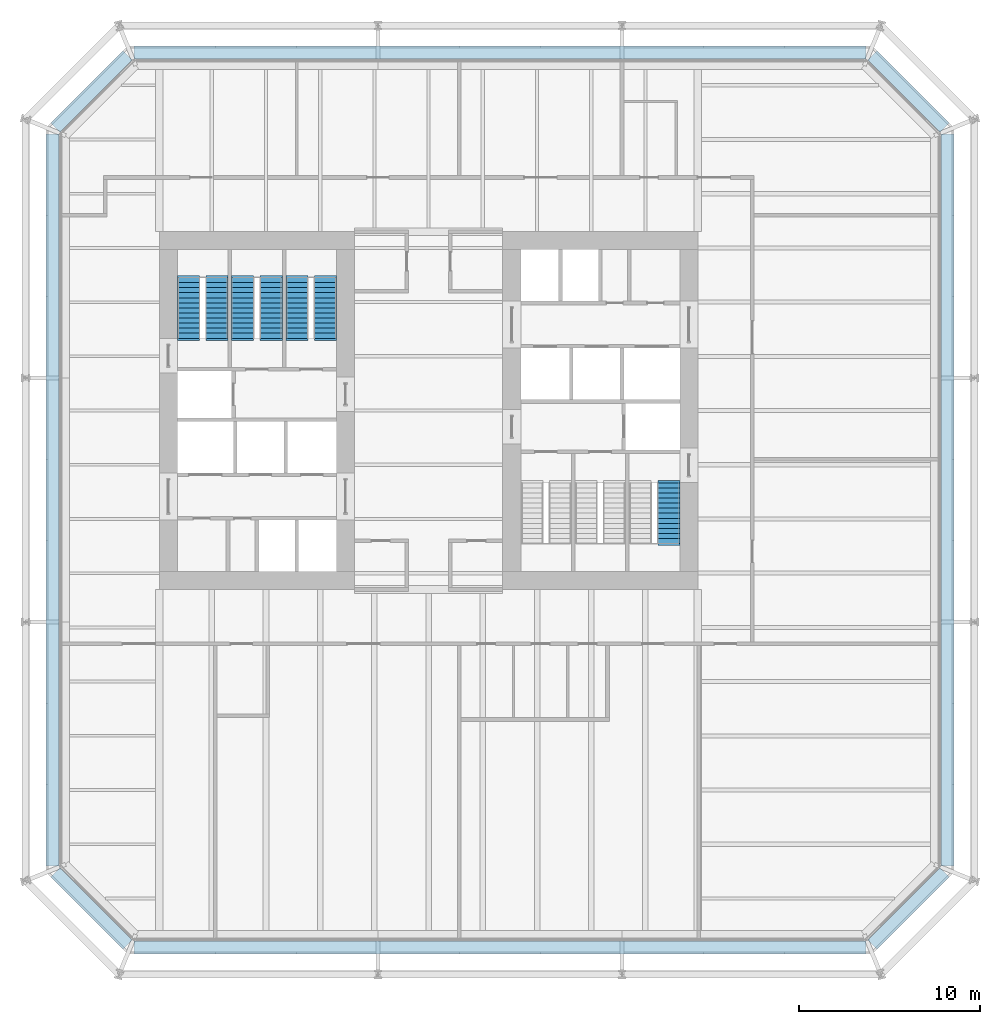
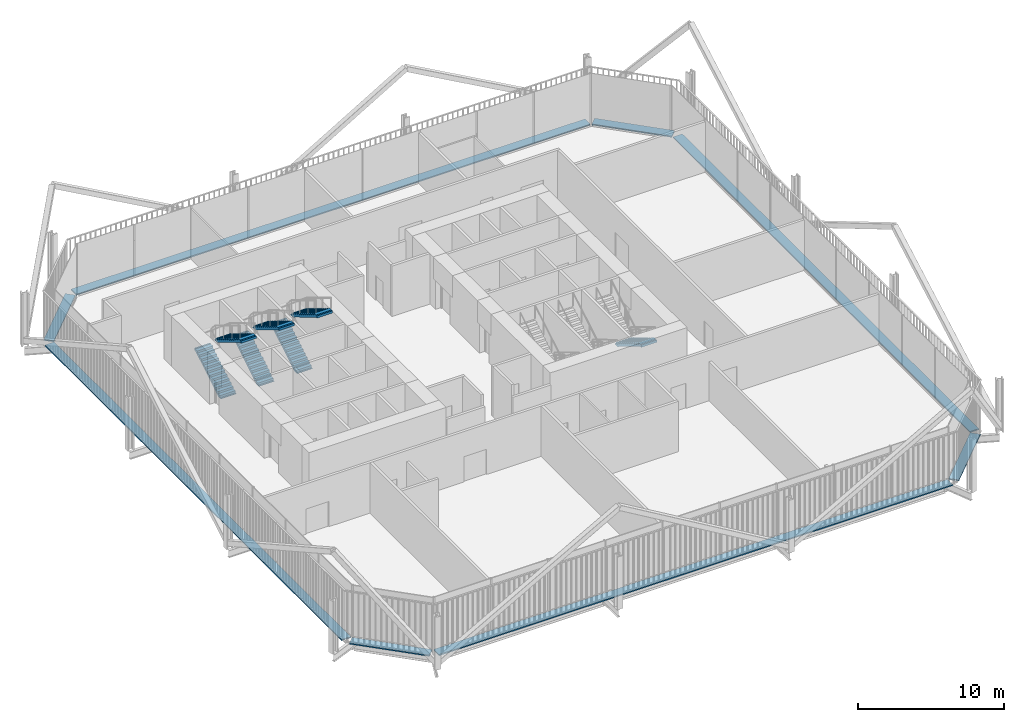
# One storey, part 20 of 21: 8 discrete accessories, 7 stair flights, 4 elements without a shape of their own.
"""IFC4 building model written with IfcOpenShell, lengths in metres."""

from ifc_helpers import new_model, si_unit, direction, frame, origin, origin_2d, place, context, subcontext, project, spatial, polyline, rectangle, outline, extrude, material, type_object, element, aggregate, save


model = new_model("IFC4")

# Units and contexts
model_context = context("Model", 3, precision=1e-05, world=origin(), true_north=direction((0.0, 1.0)))
body_context = subcontext(model_context, "Body", "Model", "MODEL_VIEW")
ifc_project = project(units=[si_unit("LENGTHUNIT", "METRE"), si_unit("AREAUNIT", "SQUARE_METRE"), si_unit("VOLUMEUNIT", "CUBIC_METRE"), si_unit("PLANEANGLEUNIT", "RADIAN"), si_unit("MASSUNIT", "GRAM", prefix="KILO")], contexts=[model_context])

# Site, building, storey
site_placement = place(None, origin())
site = spatial("IfcSite", under=ifc_project, at=site_placement, CompositionType="ELEMENT")
building_placement = place(site_placement, origin())
building = spatial("IfcBuilding", under=site, at=building_placement, Name="Millrace Tower", CompositionType="ELEMENT")
storey_placement = place(building_placement, frame((0.0, 0.0, 82.0)))
storey = spatial("IfcBuildingStorey", under=building, at=storey_placement, Name="L18", CompositionType="ELEMENT", Elevation=82.0)

# Stair, stair flights
ifc_material_1 = material(Name="Concrete C35", Category="concrete")
stair_type = type_object("IfcStairType", Name="Exit stair", PredefinedType="HALF_TURN_STAIR", material=ifc_material_1)
placement = place(storey_placement, origin())
stair_1 = element("IfcStair", 1, at=placement, inside=storey, type_object=stair_type, Name="Stair 1 W L18", PredefinedType="HALF_TURN_STAIR")
ifc_material_2 = material(Name="Concrete C35", Category="concrete")
stair_flight_type = type_object("IfcStairFlightType", Name="Exit stair flight", PredefinedType="STRAIGHT", material=ifc_material_2)
stair_flight_1_placement = place(storey_placement, frame((-13.2900390625, 4.0, 0.0), z_axis=(0.0, 0.0, 1.0), x_axis=(0.0, 1.0, 0.0)))
stair_flight_1 = element("IfcStairFlight", 2, at=stair_flight_1_placement, type_object=stair_flight_type, Name="ST12 flight 1", NumberOfRisers=13, NumberOfTreads=12, PredefinedType="STRAIGHT", RiserHeight=0.169230769, TreadLength=0.28, context=body_context, shape_type="SweptSolid", body=[
    extrude(outline(polyline([(-0.1201171875, -0.0400390625), (-0.1201171875, 0.0), (0.0, 0.0), (0.0, 0.169189453125), (0.280029296875, 0.169189453125), (0.280029296875, 0.33837890625), (0.56005859375, 0.33837890625), (0.56005859375, 0.5078125), (0.840087890625, 0.5078125), (0.840087890625, 0.677001953125), (1.1201171875, 0.677001953125), (1.1201171875, 0.84619140625), (1.39990234375, 0.84619140625), (1.39990234375, 1.015380859375), (1.679931640625, 1.015380859375), (1.679931640625, 1.1845703125), (1.9599609375, 1.1845703125), (1.9599609375, 1.353759765625), (2.239990234375, 1.353759765625), (2.239990234375, 1.523193359375), (2.52001953125, 1.523193359375), (2.52001953125, 1.6923828125), (2.800048828125, 1.6923828125), (2.800048828125, 1.861572265625), (3.080078125, 1.861572265625), (3.080078125, 2.03076171875), (3.360107421875, 2.03076171875), (3.360107421875, 2.05078125), (3.47998046875, 2.05078125), (3.47998046875, 1.855712890625), (3.360107421875, 1.855712890625), (0.289794921875, 0.0), (0.289794921875, -0.0400390625), (-0.1201171875, -0.0400390625)])), frame((0.0, 0.60986328125, 0.0), z_axis=(0.0, -1.0, 0.0), x_axis=(1.0, 0.0, 0.0)), (0.0, 0.0, 1.0), 1.219970703125),
])
stair_flight_2_placement = place(storey_placement, frame((-11.7099609375, 7.360107421875, 2.199951171875), z_axis=(0.0, 0.0, 1.0), x_axis=(0.0, -1.0, 0.0)))
stair_flight_2 = element("IfcStairFlight", 3, at=stair_flight_2_placement, type_object=stair_flight_type, Name="ST12 flight 2", NumberOfRisers=13, NumberOfTreads=12, PredefinedType="STRAIGHT", RiserHeight=0.169230769, TreadLength=0.28, context=body_context, shape_type="SweptSolid", body=[
    extrude(outline(polyline([(-0.1201171875, -0.0400390625), (-0.1201171875, 0.0), (0.0, 0.0), (0.0, 0.169189453125), (0.280029296875, 0.169189453125), (0.280029296875, 0.33837890625), (0.56005859375, 0.33837890625), (0.56005859375, 0.5078125), (0.840087890625, 0.5078125), (0.840087890625, 0.677001953125), (1.1201171875, 0.677001953125), (1.1201171875, 0.84619140625), (1.39990234375, 0.84619140625), (1.39990234375, 1.015380859375), (1.679931640625, 1.015380859375), (1.679931640625, 1.1845703125), (1.9599609375, 1.1845703125), (1.9599609375, 1.353759765625), (2.239990234375, 1.353759765625), (2.239990234375, 1.523193359375), (2.52001953125, 1.523193359375), (2.52001953125, 1.6923828125), (2.800048828125, 1.6923828125), (2.800048828125, 1.861572265625), (3.080078125, 1.861572265625), (3.080078125, 2.03076171875), (3.360107421875, 2.03076171875), (3.360107421875, 2.05078125), (3.47998046875, 2.05078125), (3.47998046875, 1.855712890625), (3.360107421875, 1.855712890625), (0.289794921875, 0.0), (0.289794921875, -0.0400390625), (-0.1201171875, -0.0400390625)])), frame((0.0, 0.60986328125, 0.0), z_axis=(0.0, -1.0, 0.0), x_axis=(1.0, 0.0, 0.0)), (0.0, 0.0, 1.0), 1.219970703125),
])
aggregate(stair_1, [stair_flight_1, stair_flight_2])

stair_2 = element("IfcStair", 4, at=placement, inside=storey, type_object=stair_type, Name="Stair 2 W L18", PredefinedType="HALF_TURN_STAIR")
stair_flight_3_placement = place(storey_placement, frame((-10.2900390625, 4.0, 0.0), z_axis=(0.0, 0.0, 1.0), x_axis=(0.0, 1.0, 0.0)))
stair_flight_3 = element("IfcStairFlight", 5, at=stair_flight_3_placement, type_object=stair_flight_type, Name="ST12 flight 1", NumberOfRisers=13, NumberOfTreads=12, PredefinedType="STRAIGHT", RiserHeight=0.169230769, TreadLength=0.28, context=body_context, shape_type="SweptSolid", body=[
    extrude(outline(polyline([(-0.1201171875, -0.0400390625), (-0.1201171875, 0.0), (0.0, 0.0), (0.0, 0.169189453125), (0.280029296875, 0.169189453125), (0.280029296875, 0.33837890625), (0.56005859375, 0.33837890625), (0.56005859375, 0.5078125), (0.840087890625, 0.5078125), (0.840087890625, 0.677001953125), (1.1201171875, 0.677001953125), (1.1201171875, 0.84619140625), (1.39990234375, 0.84619140625), (1.39990234375, 1.015380859375), (1.679931640625, 1.015380859375), (1.679931640625, 1.1845703125), (1.9599609375, 1.1845703125), (1.9599609375, 1.353759765625), (2.239990234375, 1.353759765625), (2.239990234375, 1.523193359375), (2.52001953125, 1.523193359375), (2.52001953125, 1.6923828125), (2.800048828125, 1.6923828125), (2.800048828125, 1.861572265625), (3.080078125, 1.861572265625), (3.080078125, 2.03076171875), (3.360107421875, 2.03076171875), (3.360107421875, 2.05078125), (3.47998046875, 2.05078125), (3.47998046875, 1.855712890625), (3.360107421875, 1.855712890625), (0.289794921875, 0.0), (0.289794921875, -0.0400390625), (-0.1201171875, -0.0400390625)])), frame((0.0, 0.60986328125, 0.0), z_axis=(0.0, -1.0, 0.0), x_axis=(1.0, 0.0, 0.0)), (0.0, 0.0, 1.0), 1.219970703125),
])
stair_flight_4_placement = place(storey_placement, frame((-8.7099609375, 7.360107421875, 2.199951171875), z_axis=(0.0, 0.0, 1.0), x_axis=(0.0, -1.0, 0.0)))
stair_flight_4 = element("IfcStairFlight", 6, at=stair_flight_4_placement, type_object=stair_flight_type, Name="ST12 flight 2", NumberOfRisers=13, NumberOfTreads=12, PredefinedType="STRAIGHT", RiserHeight=0.169230769, TreadLength=0.28, context=body_context, shape_type="SweptSolid", body=[
    extrude(outline(polyline([(-0.1201171875, -0.0400390625), (-0.1201171875, 0.0), (0.0, 0.0), (0.0, 0.169189453125), (0.280029296875, 0.169189453125), (0.280029296875, 0.33837890625), (0.56005859375, 0.33837890625), (0.56005859375, 0.5078125), (0.840087890625, 0.5078125), (0.840087890625, 0.677001953125), (1.1201171875, 0.677001953125), (1.1201171875, 0.84619140625), (1.39990234375, 0.84619140625), (1.39990234375, 1.015380859375), (1.679931640625, 1.015380859375), (1.679931640625, 1.1845703125), (1.9599609375, 1.1845703125), (1.9599609375, 1.353759765625), (2.239990234375, 1.353759765625), (2.239990234375, 1.523193359375), (2.52001953125, 1.523193359375), (2.52001953125, 1.6923828125), (2.800048828125, 1.6923828125), (2.800048828125, 1.861572265625), (3.080078125, 1.861572265625), (3.080078125, 2.03076171875), (3.360107421875, 2.03076171875), (3.360107421875, 2.05078125), (3.47998046875, 2.05078125), (3.47998046875, 1.855712890625), (3.360107421875, 1.855712890625), (0.289794921875, 0.0), (0.289794921875, -0.0400390625), (-0.1201171875, -0.0400390625)])), frame((0.0, 0.60986328125, 0.0), z_axis=(0.0, -1.0, 0.0), x_axis=(1.0, 0.0, 0.0)), (0.0, 0.0, 1.0), 1.219970703125),
])
aggregate(stair_2, [stair_flight_3, stair_flight_4])

stair_3 = element("IfcStair", 7, at=placement, inside=storey, type_object=stair_type, Name="Stair 3 W L18", PredefinedType="HALF_TURN_STAIR")
stair_flight_5_placement = place(storey_placement, frame((-7.2900390625, 4.0, 0.0), z_axis=(0.0, 0.0, 1.0), x_axis=(0.0, 1.0, 0.0)))
stair_flight_5 = element("IfcStairFlight", 8, at=stair_flight_5_placement, type_object=stair_flight_type, Name="ST12 flight 1", NumberOfRisers=13, NumberOfTreads=12, PredefinedType="STRAIGHT", RiserHeight=0.169230769, TreadLength=0.28, context=body_context, shape_type="SweptSolid", body=[
    extrude(outline(polyline([(-0.1201171875, -0.0400390625), (-0.1201171875, 0.0), (0.0, 0.0), (0.0, 0.169189453125), (0.280029296875, 0.169189453125), (0.280029296875, 0.33837890625), (0.56005859375, 0.33837890625), (0.56005859375, 0.5078125), (0.840087890625, 0.5078125), (0.840087890625, 0.677001953125), (1.1201171875, 0.677001953125), (1.1201171875, 0.84619140625), (1.39990234375, 0.84619140625), (1.39990234375, 1.015380859375), (1.679931640625, 1.015380859375), (1.679931640625, 1.1845703125), (1.9599609375, 1.1845703125), (1.9599609375, 1.353759765625), (2.239990234375, 1.353759765625), (2.239990234375, 1.523193359375), (2.52001953125, 1.523193359375), (2.52001953125, 1.6923828125), (2.800048828125, 1.6923828125), (2.800048828125, 1.861572265625), (3.080078125, 1.861572265625), (3.080078125, 2.03076171875), (3.360107421875, 2.03076171875), (3.360107421875, 2.05078125), (3.47998046875, 2.05078125), (3.47998046875, 1.855712890625), (3.360107421875, 1.855712890625), (0.289794921875, 0.0), (0.289794921875, -0.0400390625), (-0.1201171875, -0.0400390625)])), frame((0.0, 0.60986328125, 0.0), z_axis=(0.0, -1.0, 0.0), x_axis=(1.0, 0.0, 0.0)), (0.0, 0.0, 1.0), 1.219970703125),
])
stair_flight_6_placement = place(storey_placement, frame((-5.7099609375, 7.360107421875, 2.199951171875), z_axis=(0.0, 0.0, 1.0), x_axis=(0.0, -1.0, 0.0)))
stair_flight_6 = element("IfcStairFlight", 9, at=stair_flight_6_placement, type_object=stair_flight_type, Name="ST12 flight 2", NumberOfRisers=13, NumberOfTreads=12, PredefinedType="STRAIGHT", RiserHeight=0.169230769, TreadLength=0.28, context=body_context, shape_type="SweptSolid", body=[
    extrude(outline(polyline([(-0.1201171875, -0.0400390625), (-0.1201171875, 0.0), (0.0, 0.0), (0.0, 0.169189453125), (0.280029296875, 0.169189453125), (0.280029296875, 0.33837890625), (0.56005859375, 0.33837890625), (0.56005859375, 0.5078125), (0.840087890625, 0.5078125), (0.840087890625, 0.677001953125), (1.1201171875, 0.677001953125), (1.1201171875, 0.84619140625), (1.39990234375, 0.84619140625), (1.39990234375, 1.015380859375), (1.679931640625, 1.015380859375), (1.679931640625, 1.1845703125), (1.9599609375, 1.1845703125), (1.9599609375, 1.353759765625), (2.239990234375, 1.353759765625), (2.239990234375, 1.523193359375), (2.52001953125, 1.523193359375), (2.52001953125, 1.6923828125), (2.800048828125, 1.6923828125), (2.800048828125, 1.861572265625), (3.080078125, 1.861572265625), (3.080078125, 2.03076171875), (3.360107421875, 2.03076171875), (3.360107421875, 2.05078125), (3.47998046875, 2.05078125), (3.47998046875, 1.855712890625), (3.360107421875, 1.855712890625), (0.289794921875, 0.0), (0.289794921875, -0.0400390625), (-0.1201171875, -0.0400390625)])), frame((0.0, 0.60986328125, 0.0), z_axis=(0.0, -1.0, 0.0), x_axis=(1.0, 0.0, 0.0)), (0.0, 0.0, 1.0), 1.219970703125),
])
aggregate(stair_3, [stair_flight_5, stair_flight_6])

# Stair, stair flight
stair_4 = element("IfcStair", 10, at=placement, inside=storey, type_object=stair_type, Name="Stair 1 E L18", PredefinedType="HALF_TURN_STAIR")
stair_flight_7_placement = place(storey_placement, frame((13.2900390625, -4.0, 0.0), z_axis=(0.0, 0.0, 1.0), x_axis=(0.0, -1.0, 0.0)))
stair_flight_7 = element("IfcStairFlight", 11, at=stair_flight_7_placement, type_object=stair_flight_type, Name="ST12 flight 1", NumberOfRisers=13, NumberOfTreads=12, PredefinedType="STRAIGHT", RiserHeight=0.169230769, TreadLength=0.28, context=body_context, shape_type="SweptSolid", body=[
    extrude(outline(polyline([(-0.1201171875, -0.0400390625), (-0.1201171875, 0.0), (0.0, 0.0), (0.0, 0.169189453125), (0.280029296875, 0.169189453125), (0.280029296875, 0.33837890625), (0.56005859375, 0.33837890625), (0.56005859375, 0.5078125), (0.840087890625, 0.5078125), (0.840087890625, 0.677001953125), (1.1201171875, 0.677001953125), (1.1201171875, 0.84619140625), (1.39990234375, 0.84619140625), (1.39990234375, 1.015380859375), (1.679931640625, 1.015380859375), (1.679931640625, 1.1845703125), (1.9599609375, 1.1845703125), (1.9599609375, 1.353759765625), (2.239990234375, 1.353759765625), (2.239990234375, 1.523193359375), (2.52001953125, 1.523193359375), (2.52001953125, 1.6923828125), (2.800048828125, 1.6923828125), (2.800048828125, 1.861572265625), (3.080078125, 1.861572265625), (3.080078125, 2.03076171875), (3.360107421875, 2.03076171875), (3.360107421875, 2.05078125), (3.47998046875, 2.05078125), (3.47998046875, 1.855712890625), (3.360107421875, 1.855712890625), (0.289794921875, 0.0), (0.289794921875, -0.0400390625), (-0.1201171875, -0.0400390625)])), frame((0.0, 0.60986328125, 0.0), z_axis=(0.0, -1.0, 0.0), x_axis=(1.0, 0.0, 0.0)), (0.0, 0.0, 1.0), 1.219970703125),
])
aggregate(stair_4, [stair_flight_7])

# Discrete accessories
ifc_material_3 = material(Name="Stainless steel ASTM A240 type 316", Category="steel")
discrete_accessory_type = type_object("IfcDiscreteAccessoryType", Name="Thermally broken screen support rail", PredefinedType="BRACKET", material=ifc_material_3)
discrete_accessory_1_placement = place(storey_placement, frame((-18.66064453125, -27.560546875, 0.0), z_axis=(0.0, 0.0, 1.0), x_axis=(0.707106781187, -0.707106781187, 0.0)))
element("IfcDiscreteAccessory", 12, at=discrete_accessory_1_placement, inside=storey, type_object=discrete_accessory_type, Name="Thermally broken screen support rail B-F01 L18 1", PredefinedType="BRACKET", context=body_context, shape_type="SweptSolid", body=[
    extrude(rectangle(XDim=5.65673828125, YDim=0.719970703125, at=origin_2d()), origin(), (0.0, 0.0, 1.0), 0.10009765625),
])
discrete_accessory_2_placement = place(storey_placement, frame((3.949951171875, -29.7099609375, 0.0), z_axis=(0.0, 0.0, 1.0), x_axis=(1.0, 0.0, 0.0)))
element("IfcDiscreteAccessory", 13, at=discrete_accessory_2_placement, inside=storey, type_object=discrete_accessory_type, Name="Thermally broken screen support rail B-F02 L18 1", PredefinedType="BRACKET", context=body_context, shape_type="SweptSolid", body=[
    extrude(rectangle(XDim=40.5, YDim=0.719970703125, at=origin_2d()), origin(), (0.0, 0.0, 1.0), 0.10009765625),
])
discrete_accessory_3_placement = place(storey_placement, frame((26.560546875, -27.560546875, 0.0), z_axis=(0.0, 0.0, 1.0), x_axis=(0.707106781187, 0.707106781187, 0.0)))
element("IfcDiscreteAccessory", 14, at=discrete_accessory_3_placement, inside=storey, type_object=discrete_accessory_type, Name="Thermally broken screen support rail B-F03 L18 1", PredefinedType="BRACKET", context=body_context, shape_type="SweptSolid", body=[
    extrude(rectangle(XDim=5.65673828125, YDim=0.719970703125, at=origin_2d()), origin(), (0.0, 0.0, 1.0), 0.10009765625),
])
discrete_accessory_4_placement = place(storey_placement, frame((28.7099609375, -4.949951171875, 0.0), z_axis=(0.0, 0.0, 1.0), x_axis=(0.0, 1.0, 0.0)))
element("IfcDiscreteAccessory", 15, at=discrete_accessory_4_placement, inside=storey, type_object=discrete_accessory_type, Name="Thermally broken screen support rail B-F04 L18 1", PredefinedType="BRACKET", context=body_context, shape_type="SweptSolid", body=[
    extrude(rectangle(XDim=40.5, YDim=0.719970703125, at=origin_2d()), origin(), (0.0, 0.0, 1.0), 0.10009765625),
])
discrete_accessory_5_placement = place(storey_placement, frame((26.560546875, 17.66064453125, 0.0), z_axis=(0.0, 0.0, 1.0), x_axis=(-0.707106781187, 0.707106781187, 0.0)))
element("IfcDiscreteAccessory", 16, at=discrete_accessory_5_placement, inside=storey, type_object=discrete_accessory_type, Name="Thermally broken screen support rail B-F05 L18 1", PredefinedType="BRACKET", context=body_context, shape_type="SweptSolid", body=[
    extrude(rectangle(XDim=5.65673828125, YDim=0.719970703125, at=origin_2d()), origin(), (0.0, 0.0, 1.0), 0.10009765625),
])
discrete_accessory_6_placement = place(storey_placement, frame((3.949951171875, 19.81005859375, 0.0), z_axis=(0.0, 0.0, 1.0), x_axis=(-1.0, 0.0, 0.0)))
element("IfcDiscreteAccessory", 17, at=discrete_accessory_6_placement, inside=storey, type_object=discrete_accessory_type, Name="Thermally broken screen support rail B-F06 L18 1", PredefinedType="BRACKET", context=body_context, shape_type="SweptSolid", body=[
    extrude(rectangle(XDim=40.5, YDim=0.719970703125, at=origin_2d()), origin(), (0.0, 0.0, 1.0), 0.10009765625),
])
discrete_accessory_7_placement = place(storey_placement, frame((-18.66064453125, 17.66064453125, 0.0), z_axis=(0.0, 0.0, 1.0), x_axis=(-0.707106781187, -0.707106781187, 0.0)))
element("IfcDiscreteAccessory", 18, at=discrete_accessory_7_placement, inside=storey, type_object=discrete_accessory_type, Name="Thermally broken screen support rail B-F07 L18 1", PredefinedType="BRACKET", context=body_context, shape_type="SweptSolid", body=[
    extrude(rectangle(XDim=5.65673828125, YDim=0.719970703125, at=origin_2d()), origin(), (0.0, 0.0, 1.0), 0.10009765625),
])
discrete_accessory_8_placement = place(storey_placement, frame((-20.81005859375, -4.949951171875, 0.0), z_axis=(0.0, 0.0, 1.0), x_axis=(0.0, -1.0, 0.0)))
element("IfcDiscreteAccessory", 19, at=discrete_accessory_8_placement, inside=storey, type_object=discrete_accessory_type, Name="Thermally broken screen support rail B-F08 L18 1", PredefinedType="BRACKET", context=body_context, shape_type="SweptSolid", body=[
    extrude(rectangle(XDim=40.5, YDim=0.719970703125, at=origin_2d()), origin(), (0.0, 0.0, 1.0), 0.10009765625),
])

save(model, "model.ifc")
